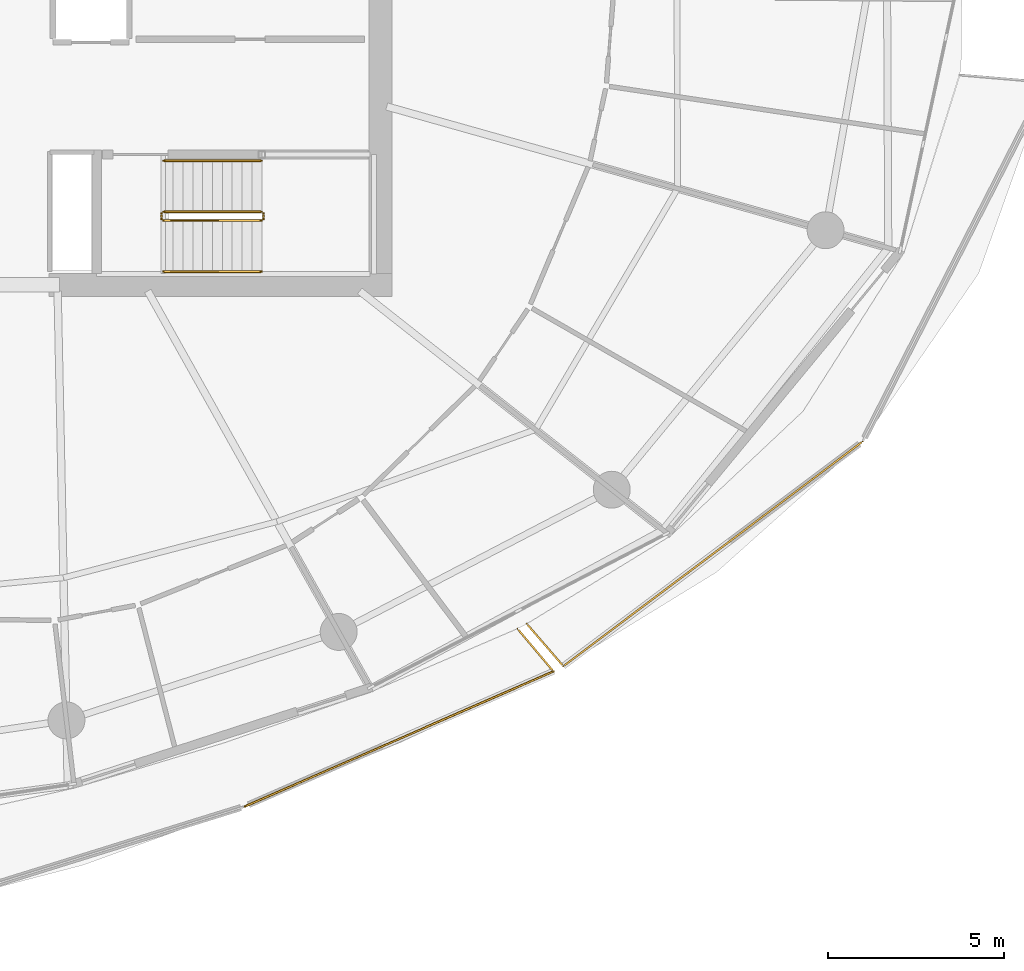
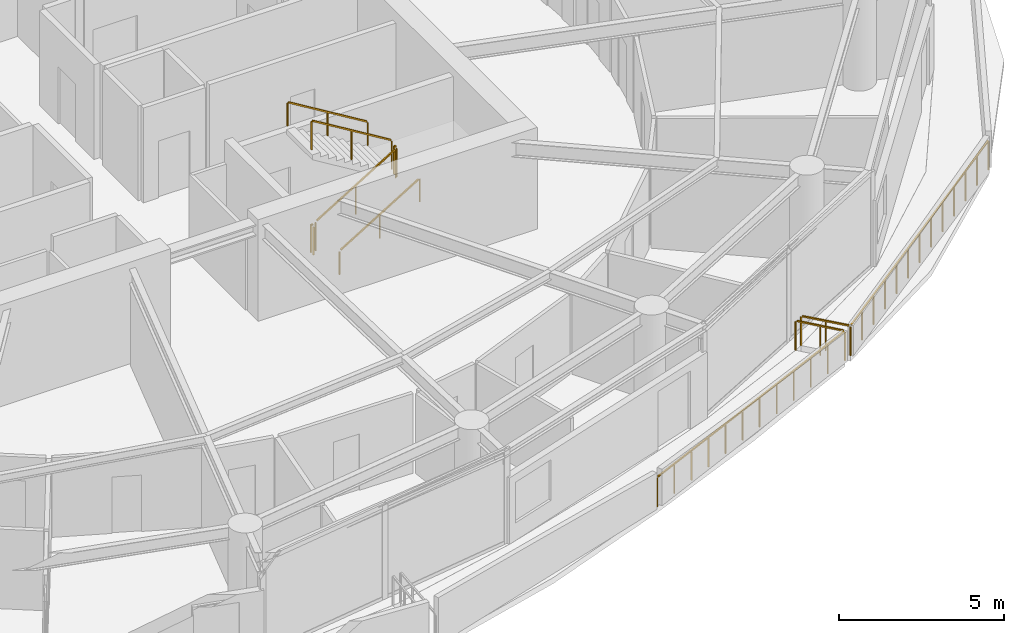
# One storey, part 19 of 21: 10 railings.
"""IFC4 building model written with IfcOpenShell, lengths in metres."""

from ifc_helpers import new_model, si_unit, direction, frame, origin, origin_2d, place, context, subcontext, project, spatial, rectangle, extrude, material, type_object, element, save


model = new_model("IFC4")

# Units and contexts
model_context = context("Model", 3, precision=1e-05, world=origin(), true_north=direction((0.0, 1.0)))
body_context = subcontext(model_context, "Body", "Model", "MODEL_VIEW")
ifc_project = project(units=[si_unit("LENGTHUNIT", "METRE"), si_unit("AREAUNIT", "SQUARE_METRE"), si_unit("VOLUMEUNIT", "CUBIC_METRE"), si_unit("PLANEANGLEUNIT", "RADIAN"), si_unit("MASSUNIT", "GRAM", prefix="KILO")], contexts=[model_context])

# Site, building, storey
site_placement = place(None, origin())
site = spatial("IfcSite", under=ifc_project, at=site_placement, CompositionType="ELEMENT")
building_placement = place(site_placement, origin())
building = spatial("IfcBuilding", under=site, at=building_placement, Name="Kazma Halo Residences", CompositionType="ELEMENT")
storey_placement = place(building_placement, frame((0.0, 0.0, 176.550048828125)))
storey = spatial("IfcBuildingStorey", under=building, at=storey_placement, Name="L44", CompositionType="ELEMENT", Elevation=176.550048828125)

# Railings
ifc_material_1 = material(Name="Aluminium AW-6063 T6 Brushed Cap Rail", Category="aluminium")
railing_type_1 = type_object("IfcRailingType", Name="RLG-BAL-CAP-1120", PredefinedType="BALUSTRADE", material=ifc_material_1)
railing_1_placement = place(storey_placement, frame((55.520263671875, 18.855224609375, 0.0)))
element("IfcRailing", 1, at=railing_1_placement, inside=storey, type_object=railing_type_1, Name="L44 SSE wave balcony guard 3", PredefinedType="BALUSTRADE", context=body_context, shape_type="SweptSolid", body=[
    extrude(rectangle(XDim=0.050048828125, YDim=0.050048828125, at=origin_2d()), frame((0.0390625, 0.01708984375, 1.09521484375), z_axis=(0.916057182415, 0.401047676151, 0.0), x_axis=(-0.401047676151, 0.916057182415, 0.0)), (0.0, 0.0, 1.0), 9.484619140625),
    extrude(rectangle(XDim=0.0400390625, YDim=0.0400390625, at=origin_2d()), origin(), (0.0, 0.0, 1.0), 1.05810546875),
    extrude(rectangle(XDim=0.0400390625, YDim=0.0400390625, at=origin_2d()), frame((0.796875, 0.348876953125, 0.0)), (0.0, 0.0, 1.0), 1.05810546875),
    extrude(rectangle(XDim=0.0400390625, YDim=0.0400390625, at=origin_2d()), frame((1.593994140625, 0.69775390625, 0.0)), (0.0, 0.0, 1.0), 1.05810546875),
    extrude(rectangle(XDim=0.0400390625, YDim=0.0400390625, at=origin_2d()), frame((2.390869140625, 1.046630859375, 0.0)), (0.0, 0.0, 1.0), 1.05810546875),
    extrude(rectangle(XDim=0.0400390625, YDim=0.0400390625, at=origin_2d()), frame((3.187744140625, 1.3955078125, 0.0)), (0.0, 0.0, 1.0), 1.05810546875),
    extrude(rectangle(XDim=0.0400390625, YDim=0.0400390625, at=origin_2d()), frame((3.984619140625, 1.744384765625, 0.0)), (0.0, 0.0, 1.0), 1.05810546875),
    extrude(rectangle(XDim=0.0400390625, YDim=0.0400390625, at=origin_2d()), frame((4.78173828125, 2.093505859375, 0.0)), (0.0, 0.0, 1.0), 1.05810546875),
    extrude(rectangle(XDim=0.0400390625, YDim=0.0400390625, at=origin_2d()), frame((5.57861328125, 2.4423828125, 0.0)), (0.0, 0.0, 1.0), 1.05810546875),
    extrude(rectangle(XDim=0.0400390625, YDim=0.0400390625, at=origin_2d()), frame((6.37548828125, 2.791259765625, 0.0)), (0.0, 0.0, 1.0), 1.05810546875),
    extrude(rectangle(XDim=0.0400390625, YDim=0.0400390625, at=origin_2d()), frame((7.17236328125, 3.14013671875, 0.0)), (0.0, 0.0, 1.0), 1.05810546875),
    extrude(rectangle(XDim=0.0400390625, YDim=0.0400390625, at=origin_2d()), frame((7.969482421875, 3.489013671875, 0.0)), (0.0, 0.0, 1.0), 1.05810546875),
    extrude(rectangle(XDim=0.0400390625, YDim=0.0400390625, at=origin_2d()), frame((8.766357421875, 3.837890625, 0.0)), (0.0, 0.0, 1.0), 1.05810546875),
])
railing_2_placement = place(storey_placement, frame((64.28662109375, 22.693115234375, 0.0)))
element("IfcRailing", 2, at=railing_2_placement, inside=storey, type_object=railing_type_1, Name="L44 SSE wave balcony guard 4", PredefinedType="BALUSTRADE", context=body_context, shape_type="SweptSolid", body=[
    extrude(rectangle(XDim=0.050048828125, YDim=0.050048828125, at=origin_2d()), frame((-0.02734375, 0.032470703125, 1.09521484375), z_axis=(-0.644719068761, 0.764419598373, 0.0), x_axis=(-0.764419598373, -0.644719068761, 0.0)), (0.0, 0.0, 1.0), 1.499755859375),
    extrude(rectangle(XDim=0.0400390625, YDim=0.0400390625, at=origin_2d()), origin(), (0.0, 0.0, 1.0), 1.05810546875),
    extrude(rectangle(XDim=0.0400390625, YDim=0.0400390625, at=origin_2d()), frame((-0.5107421875, 0.605712890625, 0.0)), (0.0, 0.0, 1.0), 1.05810546875),
    extrude(rectangle(XDim=0.0400390625, YDim=0.0400390625, at=origin_2d()), frame((-1.021728515625, 1.21142578125, 0.0)), (0.0, 0.0, 1.0), 1.05810546875),
])
railing_3_placement = place(storey_placement, frame((63.528564453125, 24.041748046875, 0.0)))
element("IfcRailing", 3, at=railing_3_placement, inside=storey, type_object=railing_type_1, Name="L44 SE wave balcony guard 1", PredefinedType="BALUSTRADE", context=body_context, shape_type="SweptSolid", body=[
    extrude(rectangle(XDim=0.050048828125, YDim=0.050048828125, at=origin_2d()), frame((0.02783203125, -0.0322265625, 1.09521484375), z_axis=(0.654099677317, -0.756408363342, 0.0), x_axis=(0.756408363342, 0.654099677317, 0.0)), (0.0, 0.0, 1.0), 1.504150390625),
    extrude(rectangle(XDim=0.0400390625, YDim=0.0400390625, at=origin_2d()), origin(), (0.0, 0.0, 1.0), 1.05810546875),
    extrude(rectangle(XDim=0.0400390625, YDim=0.0400390625, at=origin_2d()), frame((0.519775390625, -0.60107421875, 0.0)), (0.0, 0.0, 1.0), 1.05810546875),
    extrude(rectangle(XDim=0.0400390625, YDim=0.0400390625, at=origin_2d()), frame((1.03955078125, -1.2021484375, 0.0)), (0.0, 0.0, 1.0), 1.05810546875),
])
railing_4_placement = place(storey_placement, frame((64.568115234375, 22.839599609375, 0.0)))
element("IfcRailing", 4, at=railing_4_placement, inside=storey, type_object=railing_type_1, Name="L44 SE wave balcony guard 2", PredefinedType="BALUSTRADE", context=body_context, shape_type="SweptSolid", body=[
    extrude(rectangle(XDim=0.050048828125, YDim=0.050048828125, at=origin_2d()), frame((0.033935546875, 0.025634765625, 1.09521484375), z_axis=(0.799768549379, 0.600308476889, 0.0), x_axis=(-0.600308476889, 0.799768549379, 0.0)), (0.0, 0.0, 1.0), 10.55029296875),
    extrude(rectangle(XDim=0.0400390625, YDim=0.0400390625, at=origin_2d()), origin(), (0.0, 0.0, 1.0), 1.05810546875),
    extrude(rectangle(XDim=0.0400390625, YDim=0.0400390625, at=origin_2d()), frame((0.708740234375, 0.531982421875, 0.0)), (0.0, 0.0, 1.0), 1.05810546875),
    extrude(rectangle(XDim=0.0400390625, YDim=0.0400390625, at=origin_2d()), frame((1.417724609375, 1.06396484375, 0.0)), (0.0, 0.0, 1.0), 1.05810546875),
    extrude(rectangle(XDim=0.0400390625, YDim=0.0400390625, at=origin_2d()), frame((2.12646484375, 1.59619140625, 0.0)), (0.0, 0.0, 1.0), 1.05810546875),
    extrude(rectangle(XDim=0.0400390625, YDim=0.0400390625, at=origin_2d()), frame((2.835205078125, 2.128173828125, 0.0)), (0.0, 0.0, 1.0), 1.05810546875),
    extrude(rectangle(XDim=0.0400390625, YDim=0.0400390625, at=origin_2d()), frame((3.544189453125, 2.66015625, 0.0)), (0.0, 0.0, 1.0), 1.05810546875),
    extrude(rectangle(XDim=0.0400390625, YDim=0.0400390625, at=origin_2d()), frame((4.2529296875, 3.1923828125, 0.0)), (0.0, 0.0, 1.0), 1.05810546875),
    extrude(rectangle(XDim=0.0400390625, YDim=0.0400390625, at=origin_2d()), frame((4.961669921875, 3.724365234375, 0.0)), (0.0, 0.0, 1.0), 1.05810546875),
    extrude(rectangle(XDim=0.0400390625, YDim=0.0400390625, at=origin_2d()), frame((5.670654296875, 4.25634765625, 0.0)), (0.0, 0.0, 1.0), 1.05810546875),
    extrude(rectangle(XDim=0.0400390625, YDim=0.0400390625, at=origin_2d()), frame((6.37939453125, 4.788330078125, 0.0)), (0.0, 0.0, 1.0), 1.05810546875),
    extrude(rectangle(XDim=0.0400390625, YDim=0.0400390625, at=origin_2d()), frame((7.088134765625, 5.3203125, 0.0)), (0.0, 0.0, 1.0), 1.05810546875),
    extrude(rectangle(XDim=0.0400390625, YDim=0.0400390625, at=origin_2d()), frame((7.797119140625, 5.8525390625, 0.0)), (0.0, 0.0, 1.0), 1.05810546875),
    extrude(rectangle(XDim=0.0400390625, YDim=0.0400390625, at=origin_2d()), frame((8.505859375, 6.384521484375, 0.0)), (0.0, 0.0, 1.0), 1.05810546875),
])
ifc_material_2 = material(Name="Painted Steel S355", Category="steel")
railing_type_2 = type_object("IfcRailingType", Name="RLG-STAIR-GRD-1100", PredefinedType="GUARDRAIL", material=ifc_material_2)
railing_5_placement = place(storey_placement, frame((53.199951171875, 35.5, 0.17041015625)))
element("IfcRailing", 5, at=railing_5_placement, inside=storey, type_object=railing_type_2, Name="L44 ST-03 stair guard 1", PredefinedType="GUARDRAIL", context=body_context, shape_type="SweptSolid", body=[
    extrude(rectangle(XDim=0.050048828125, YDim=0.050048828125, at=origin_2d()), frame((0.036376953125, 0.0, 1.09716796875), z_axis=(0.854169791009, 0.0, 0.51999420009), x_axis=(0.0, 1.0, 0.0)), (0.0, 0.0, 1.0), 3.193115234375),
    extrude(rectangle(XDim=0.0400390625, YDim=0.0400390625, at=origin_2d()), origin(), (0.0, 0.0, 1.0), 1.0380859375),
    extrude(rectangle(XDim=0.0400390625, YDim=0.0400390625, at=origin_2d()), frame((1.39990234375, 0.0, 0.852294921875)), (0.0, 0.0, 1.0), 1.0380859375),
    extrude(rectangle(XDim=0.0400390625, YDim=0.0400390625, at=origin_2d()), frame((2.800048828125, 0.0, 1.70458984375)), (0.0, 0.0, 1.0), 1.0380859375),
])
railing_6_placement = place(storey_placement, frame((56.050048828125, 35.550048828125, 1.875)))
element("IfcRailing", 6, at=railing_6_placement, inside=storey, type_object=railing_type_2, Name="L44 ST-03 stair guard 2", PredefinedType="GUARDRAIL", context=body_context, shape_type="SweptSolid", body=[
    extrude(rectangle(XDim=0.050048828125, YDim=0.050048828125, at=origin_2d()), frame((0.0, 0.04248046875, 1.0751953125), z_axis=(0.0, 1.0, 0.0), x_axis=(-1.0, 0.0, 0.0)), (0.0, 0.0, 1.0), 0.06494140625),
    extrude(rectangle(XDim=0.0400390625, YDim=0.0400390625, at=origin_2d()), origin(), (0.0, 0.0, 1.0), 1.0380859375),
    extrude(rectangle(XDim=0.0400390625, YDim=0.0400390625, at=origin_2d()), frame((0.0, 0.14990234375, 0.0)), (0.0, 0.0, 1.0), 1.0380859375),
])
railing_7_placement = place(storey_placement, frame((56.0, 35.75, 2.04541015625)))
element("IfcRailing", 7, at=railing_7_placement, inside=storey, type_object=railing_type_2, Name="L44 ST-03 stair guard 3", PredefinedType="GUARDRAIL", context=body_context, shape_type="SweptSolid", body=[
    extrude(rectangle(XDim=0.050048828125, YDim=0.050048828125, at=origin_2d()), frame((-0.036376953125, 0.0, 1.09716796875), z_axis=(-0.854169791009, 0.0, 0.51999420009), x_axis=(0.0, -1.0, 0.0)), (0.0, 0.0, 1.0), 3.193115234375),
    extrude(rectangle(XDim=0.0400390625, YDim=0.0400390625, at=origin_2d()), origin(), (0.0, 0.0, 1.0), 1.0380859375),
    extrude(rectangle(XDim=0.0400390625, YDim=0.0400390625, at=origin_2d()), frame((-1.39990234375, 0.0, 0.852294921875)), (0.0, 0.0, 1.0), 1.0380859375),
    extrude(rectangle(XDim=0.0400390625, YDim=0.0400390625, at=origin_2d()), frame((-2.800048828125, 0.0, 1.70458984375)), (0.0, 0.0, 1.0), 1.0380859375),
])
railing_8_placement = place(storey_placement, frame((53.14990234375, 35.550048828125, 0.0)))
element("IfcRailing", 8, at=railing_8_placement, inside=storey, type_object=railing_type_2, Name="L44 ST-03 stair guard 4", PredefinedType="GUARDRAIL", context=body_context, shape_type="SweptSolid", body=[
    extrude(rectangle(XDim=0.050048828125, YDim=0.050048828125, at=origin_2d()), frame((0.0, 0.04248046875, 1.0751953125), z_axis=(0.0, 1.0, 0.0), x_axis=(-1.0, 0.0, 0.0)), (0.0, 0.0, 1.0), 0.06494140625),
    extrude(rectangle(XDim=0.0400390625, YDim=0.0400390625, at=origin_2d()), origin(), (0.0, 0.0, 1.0), 1.0380859375),
    extrude(rectangle(XDim=0.0400390625, YDim=0.0400390625, at=origin_2d()), frame((0.0, 0.14990234375, 0.0)), (0.0, 0.0, 1.0), 1.0380859375),
])
ifc_material_3 = material(Name="Brushed Stainless Steel", Category="steel")
railing_type_3 = type_object("IfcRailingType", Name="RLG-STAIR-HND-900", PredefinedType="HANDRAIL", material=ifc_material_3)
railing_9_placement = place(storey_placement, frame((53.199951171875, 34.050048828125, 0.17041015625)))
element("IfcRailing", 9, at=railing_9_placement, inside=storey, type_object=railing_type_3, Name="L44 ST-03 stair handrail 1", PredefinedType="HANDRAIL", context=body_context, shape_type="SweptSolid", body=[
    extrude(rectangle(XDim=0.050048828125, YDim=0.050048828125, at=origin_2d()), frame((0.036376953125, 0.0, 0.89697265625), z_axis=(0.854169791009, 0.0, 0.51999420009), x_axis=(0.0, 1.0, 0.0)), (0.0, 0.0, 1.0), 3.193115234375),
    extrude(rectangle(XDim=0.0400390625, YDim=0.0400390625, at=origin_2d()), origin(), (0.0, 0.0, 1.0), 0.837890625),
    extrude(rectangle(XDim=0.0400390625, YDim=0.0400390625, at=origin_2d()), frame((1.39990234375, 0.0, 0.852294921875)), (0.0, 0.0, 1.0), 0.837890625),
    extrude(rectangle(XDim=0.0400390625, YDim=0.0400390625, at=origin_2d()), frame((2.800048828125, 0.0, 1.70458984375)), (0.0, 0.0, 1.0), 0.837890625),
])
railing_10_placement = place(storey_placement, frame((56.0, 37.199951171875, 2.04541015625)))
element("IfcRailing", 10, at=railing_10_placement, inside=storey, type_object=railing_type_3, Name="L44 ST-03 stair handrail 2", PredefinedType="HANDRAIL", context=body_context, shape_type="SweptSolid", body=[
    extrude(rectangle(XDim=0.050048828125, YDim=0.050048828125, at=origin_2d()), frame((-0.036376953125, 0.0, 0.89697265625), z_axis=(-0.854169791009, 0.0, 0.51999420009), x_axis=(0.0, -1.0, 0.0)), (0.0, 0.0, 1.0), 3.193115234375),
    extrude(rectangle(XDim=0.0400390625, YDim=0.0400390625, at=origin_2d()), origin(), (0.0, 0.0, 1.0), 0.837890625),
    extrude(rectangle(XDim=0.0400390625, YDim=0.0400390625, at=origin_2d()), frame((-1.39990234375, 0.0, 0.852294921875)), (0.0, 0.0, 1.0), 0.837890625),
    extrude(rectangle(XDim=0.0400390625, YDim=0.0400390625, at=origin_2d()), frame((-2.800048828125, 0.0, 1.70458984375)), (0.0, 0.0, 1.0), 0.837890625),
])

save(model, "model.ifc")
